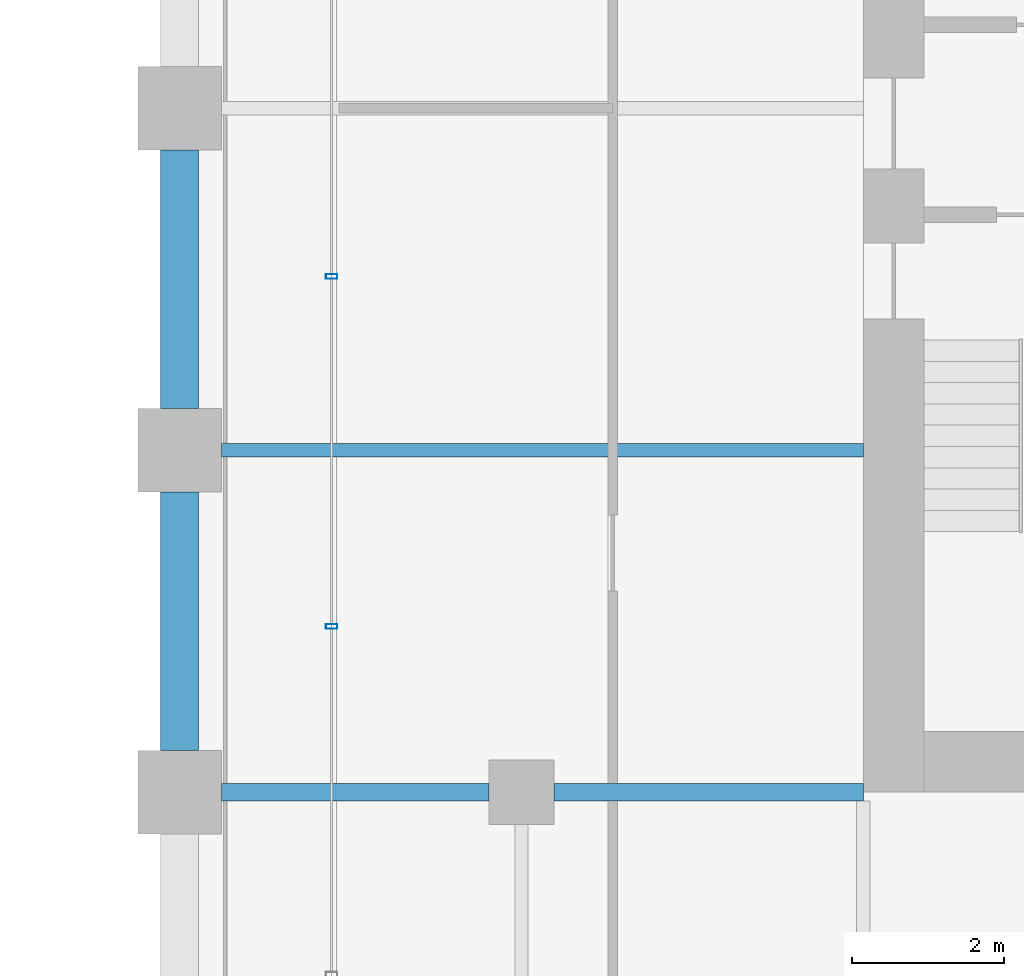
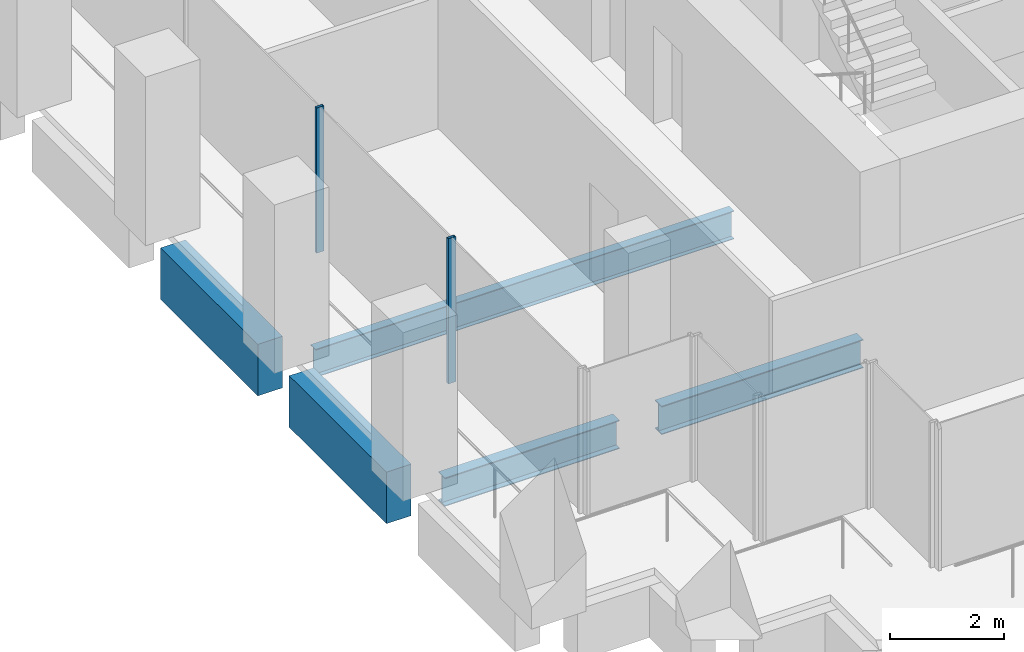
# One storey, part 36 of 54: 5 beams, 2 members, 1 element without a shape of its own.
"""IFC4 building model written with IfcOpenShell, lengths in metres."""

from ifc_helpers import new_model, si_unit, direction, frame, origin, origin_2d, place, context, subcontext, project, spatial, rectangle, hollow_rectangle, i_section, extrude, material, material_profile, profile_set, type_object, element, aggregate, save


model = new_model("IFC4")

# Units and contexts
model_context = context("Model", 3, precision=1e-05, world=origin(), true_north=direction((0.0, 1.0)))
body_context = subcontext(model_context, "Body", "Model", "MODEL_VIEW")
ifc_project = project(units=[si_unit("LENGTHUNIT", "METRE"), si_unit("AREAUNIT", "SQUARE_METRE"), si_unit("VOLUMEUNIT", "CUBIC_METRE"), si_unit("PLANEANGLEUNIT", "RADIAN"), si_unit("MASSUNIT", "GRAM", prefix="KILO")], contexts=[model_context])

# Site, building, storey
site_placement = place(None, origin())
site = spatial("IfcSite", under=ifc_project, at=site_placement, CompositionType="ELEMENT")
building_placement = place(site_placement, origin())
building = spatial("IfcBuilding", under=site, at=building_placement, Name="Altepetl Exchange Towers", CompositionType="ELEMENT")
storey_placement = place(building_placement, frame((0.0, 0.0, 61.800048828125)))
storey = spatial("IfcBuildingStorey", under=building, at=storey_placement, Name="L14", CompositionType="ELEMENT", Elevation=61.800048828125)

# Beams
ifc_material_1 = material(Name="Steel S355", Category="steel")
ifc_material_profile_1 = material_profile(ifc_material_1, i_section(OverallWidth=0.177978515625, OverallDepth=0.59912109375, WebThickness=0.010009765625, FlangeThickness=0.0126953125, at=origin_2d()), Name="W24X55")
ifc_profile_set_1 = profile_set([ifc_material_profile_1], Name="Steel S355")
beam_type_1 = type_object("IfcBeamType", Name="Floor beam W24X55", PredefinedType="BEAM", material=ifc_profile_set_1)
beam_1_placement = place(storey_placement, frame((95.050048828125, 40.5, -0.449462890625), z_axis=(1.0, 0.0, 0.0), x_axis=(0.0, 1.0, 0.0)))
element("IfcBeam", 1, at=beam_1_placement, inside=storey, type_object=beam_type_1, Name="bm:B:L14:012", PredefinedType="BEAM", context=body_context, shape_type="SweptSolid", body=[
    extrude(i_section(OverallWidth=0.177978515625, OverallDepth=0.59912109375, WebThickness=0.010009765625, FlangeThickness=0.0126953125, at=origin_2d()), origin(), (0.0, 0.0, 1.0), 8.449951171875),
])
ifc_material_profile_2 = material_profile(ifc_material_1, i_section(OverallWidth=0.22802734375, OverallDepth=0.60791015625, WebThickness=0.01123046875, FlangeThickness=0.017333984375, at=origin_2d()), Name="W24X76")
ifc_profile_set_2 = profile_set([ifc_material_profile_2], Name="Steel S355")
beam_type_2 = type_object("IfcBeamType", Name="Girder W24X76", PredefinedType="BEAM", material=ifc_profile_set_2)
beam_2_placement = place(storey_placement, frame((103.5, 36.0, -0.4541015625), z_axis=(-1.0, 0.0, 0.0), x_axis=(0.0, -1.0, 0.0)))
element("IfcBeam", 2, at=beam_2_placement, inside=storey, type_object=beam_type_2, Name="gd:B:L14:006", PredefinedType="BEAM", context=body_context, shape_type="SweptSolid", body=[
    extrude(i_section(OverallWidth=0.22802734375, OverallDepth=0.60791015625, WebThickness=0.01123046875, FlangeThickness=0.017333984375, at=origin_2d()), origin(), (0.0, 0.0, 1.0), 4.074951171875),
])
beam_3_placement = place(storey_placement, frame((98.574951171875, 36.0, -0.4541015625), z_axis=(-1.0, 0.0, 0.0), x_axis=(0.0, -1.0, 0.0)))
element("IfcBeam", 3, at=beam_3_placement, inside=storey, type_object=beam_type_2, Name="gd:B:L14:007", PredefinedType="BEAM", context=body_context, shape_type="SweptSolid", body=[
    extrude(i_section(OverallWidth=0.22802734375, OverallDepth=0.60791015625, WebThickness=0.01123046875, FlangeThickness=0.017333984375, at=origin_2d()), origin(), (0.0, 0.0, 1.0), 3.52490234375),
])

# Curtain wall, members
ifc_material_2 = material(Name="Aluminium 6063-T6 glazing", Category="aluminium")
curtain_wall_type = type_object("IfcCurtainWallType", Name="Loggia glazing system", PredefinedType="NOTDEFINED", material=ifc_material_2)
curtain_wall_placement = place(storey_placement, origin())
curtain_wall = element("IfcCurtainWall", 4, at=curtain_wall_placement, inside=storey, type_object=curtain_wall_type, Name="CW1 run", PredefinedType="NOTDEFINED")
ifc_material_3 = material(Name="Aluminium 6063-T6", Category="aluminium")
ifc_material_profile_3 = material_profile(ifc_material_3, hollow_rectangle(XDim=0.06005859375, YDim=0.14990234375, WallThickness=0.0029296875, at=origin_2d()), Name="Mullion 60x150 aluminium")
ifc_profile_set_3 = profile_set([ifc_material_profile_3], Name="Aluminium 6063-T6")
member_type = type_object("IfcMemberType", Name="Mullion 60x150 aluminium", PredefinedType="MULLION", material=ifc_profile_set_3)
member_1_placement = place(storey_placement, frame((96.5, 42.78759765625, 0.0), z_axis=(0.0, 0.0, 1.0), x_axis=(0.0, -1.0, 0.0)))
member_1 = element("IfcMember", 5, at=member_1_placement, type_object=member_type, Name="MU1 mullion", PredefinedType="MULLION", context=body_context, shape_type="SweptSolid", body=[
    extrude(hollow_rectangle(XDim=0.06005859375, YDim=0.14990234375, WallThickness=0.0029296875, at=origin_2d()), origin(), (0.0, 0.0, 1.0), 3.099853515625),
])
member_2_placement = place(storey_placement, frame((96.5, 38.18115234375, 0.0), z_axis=(0.0, 0.0, 1.0), x_axis=(0.0, -1.0, 0.0)))
member_2 = element("IfcMember", 6, at=member_2_placement, type_object=member_type, Name="MU1 mullion", PredefinedType="MULLION", context=body_context, shape_type="SweptSolid", body=[
    extrude(hollow_rectangle(XDim=0.06005859375, YDim=0.14990234375, WallThickness=0.0029296875, at=origin_2d()), origin(), (0.0, 0.0, 1.0), 3.099853515625),
])
aggregate(curtain_wall, [member_1, member_2])

# Beams
ifc_material_4 = material(Name="Concrete C50/60 precast with cantera rosa facing", Category="concrete")
ifc_material_profile_4 = material_profile(ifc_material_4, rectangle(XDim=0.5, YDim=1.10009765625, at=origin_2d()), Name="500 x 1100")
ifc_profile_set_4 = profile_set([ifc_material_profile_4], Name="Concrete C50/60 precast with cantera rosa facing")
beam_type_3 = type_object("IfcBeamType", Name="Spandrel beam 500x1100 cantera rosa", PredefinedType="SPANDREL", material=ifc_profile_set_4)
for number, where, z_axis, x_axis, name in (
    (7, (94.5, 44.449951171875, -0.699951171875), (0.0, -1.0, 0.0), (1.0, 0.0, 0.0), "sp:B:L14:029"),
    (8, (94.5, 39.949951171875, -0.699951171875), (0.0, -1.0, 0.0), (1.0, 0.0, 0.0), "sp:B:L14:030"),
):
    element("IfcBeam", number, at=place(storey_placement, frame(where, z_axis=z_axis, x_axis=x_axis)), inside=storey, type_object=beam_type_3, Name=name, PredefinedType="SPANDREL", context=body_context, shape_type="SweptSolid", body=[
        extrude(rectangle(XDim=0.5, YDim=1.10009765625, at=origin_2d()), origin(), (0.0, 0.0, 1.0), 3.39990234375),
    ])

save(model, "model.ifc")
